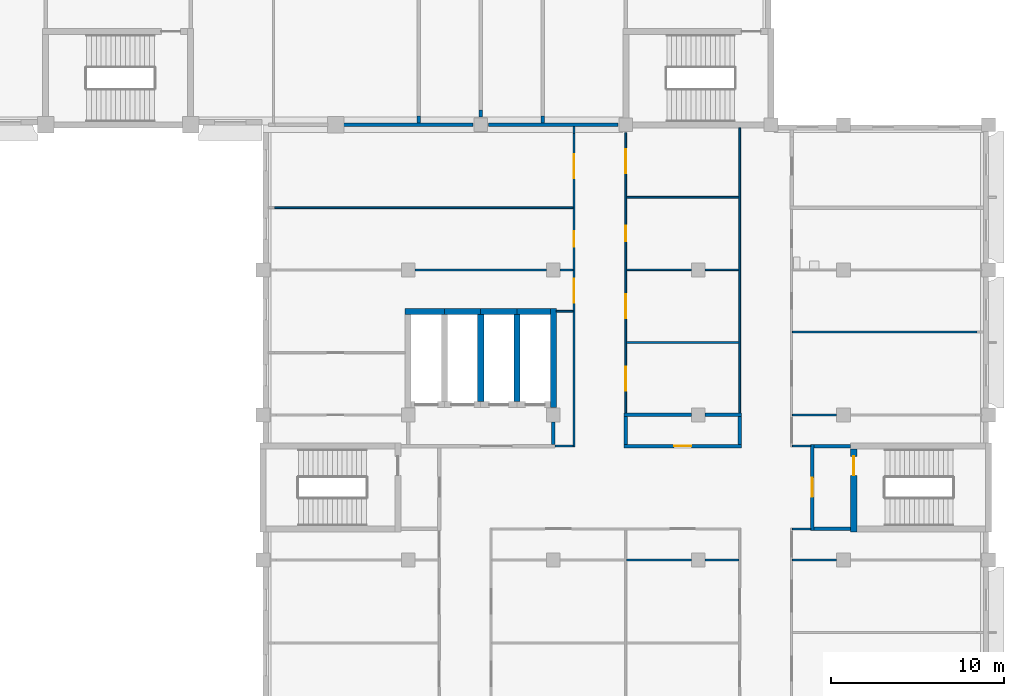
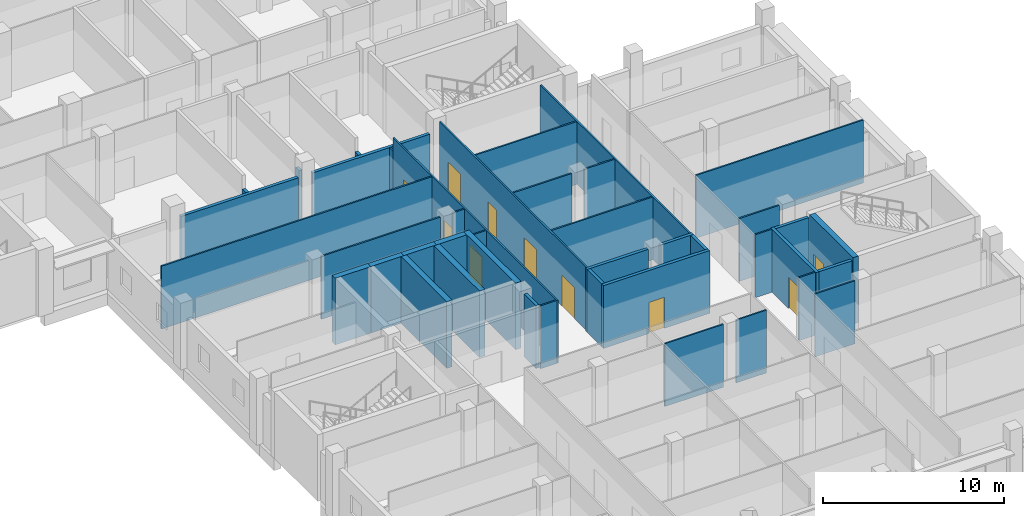
# One storey, part 84 of 136: 42 walls, 10 doors, 10 openings.
"""IFC4 building model written with IfcOpenShell, lengths in metres."""

from ifc_helpers import new_model, si_unit, direction, frame, frame_2d, origin, place, context, subcontext, project, spatial, rectangle, extrude, material, layer, layer_set, type_object, element, fill, save


model = new_model("IFC4")

# Units and contexts
model_context = context("Model", 3, precision=1e-05, world=origin(), true_north=direction((0.0, 1.0)))
body_context = subcontext(model_context, "Body", "Model", "MODEL_VIEW")
ifc_project = project(units=[si_unit("LENGTHUNIT", "METRE"), si_unit("AREAUNIT", "SQUARE_METRE"), si_unit("VOLUMEUNIT", "CUBIC_METRE"), si_unit("PLANEANGLEUNIT", "RADIAN"), si_unit("MASSUNIT", "GRAM", prefix="KILO")], contexts=[model_context])

# Site, building, storey
site_placement = place(None, origin())
site = spatial("IfcSite", under=ifc_project, at=site_placement, CompositionType="ELEMENT")
building_placement = place(site_placement, origin())
building = spatial("IfcBuilding", under=site, at=building_placement, Name="Bougainvillea Quay General Hospital", CompositionType="ELEMENT")
storey_placement = place(building_placement, frame((0.0, 0.0, 5.39990234375)))
storey = spatial("IfcBuildingStorey", under=building, at=storey_placement, Name="L01", CompositionType="ELEMENT", Elevation=5.39990234375)

# Wall
ifc_material_1 = material(Name="Gypsum board partition on steel studs", Category="steel")
ifc_layer_1 = layer(ifc_material_1, 0.10009765625)
ifc_layer_set_1 = layer_set([ifc_layer_1], Name="Gypsum board partition on steel studs")
wall_type_1 = type_object("IfcWallType", Name="Partition 100 Gypsum board partition", PredefinedType="PARTITIONING", material=ifc_layer_set_1)
wall_1_placement = place(storey_placement, frame((181.800048828125, 117.5, 0.0), z_axis=(0.0, 0.0, 1.0), x_axis=(0.0, -1.0, 0.0)))
element("IfcWall", 1, at=wall_1_placement, inside=storey, type_object=wall_type_1, Name="Partition 100 mm", PredefinedType="PARTITIONING", context=body_context, shape_type="SweptSolid", body=[
    extrude(rectangle(XDim=0.39990234375, YDim=0.10009765625, at=frame_2d((0.199951171875, 0.0))), origin(), (0.0, 0.0, 1.0), 3.330078125),
])

# Wall, openings, doors
wall_2_placement = place(storey_placement, frame((181.800048828125, 117.10009765625, 0.0), z_axis=(0.0, 0.0, 1.0), x_axis=(0.0, -1.0, 0.0)))
wall_2 = element("IfcWall", 2, at=wall_2_placement, inside=storey, type_object=wall_type_1, Name="Partition 100 mm", PredefinedType="PARTITIONING", context=body_context, shape_type="SweptSolid", body=[
    extrude(rectangle(XDim=18.150146484375, YDim=0.10009765625, at=frame_2d((9.0751953125, 0.0))), origin(), (0.0, 0.0, 1.0), 4.25),
])
opening_1_placement = place(wall_2_placement, frame((8.40087890625, 0.0, 0.0)))
opening_1 = element("IfcOpeningElement", 3, at=opening_1_placement, cuts=wall_2, Name="Opening L01.117", PredefinedType="OPENING", context=body_context, shape_type="SweptSolid", body=[
    extrude(rectangle(XDim=1.39990234375, YDim=2.10009765625, at=frame_2d((0.699951171875, 1.050048828125))), frame((0.0, 0.06005859375, 0.0), z_axis=(0.0, -1.0, 0.0), x_axis=(1.0, 0.0, 0.0)), (0.0, 0.0, 1.0), 0.1201171875),
])
opening_2_placement = place(wall_2_placement, frame((5.652099609375, 0.0, 0.0)))
opening_2 = element("IfcOpeningElement", 4, at=opening_2_placement, cuts=wall_2, Name="Opening L01.118", PredefinedType="OPENING", context=body_context, shape_type="SweptSolid", body=[
    extrude(rectangle(XDim=0.89990234375, YDim=2.10009765625, at=frame_2d((0.449951171875, 1.050048828125))), frame((0.0, 0.06005859375, 0.0), z_axis=(0.0, -1.0, 0.0), x_axis=(1.0, 0.0, 0.0)), (0.0, 0.0, 1.0), 0.1201171875),
])
opening_3_placement = place(wall_2_placement, frame((1.200927734375, 0.0, 0.0)))
opening_3 = element("IfcOpeningElement", 5, at=opening_3_placement, cuts=wall_2, Name="Opening L01.119", PredefinedType="OPENING", context=body_context, shape_type="SweptSolid", body=[
    extrude(rectangle(XDim=1.39990234375, YDim=2.10009765625, at=frame_2d((0.699951171875, 1.050048828125))), frame((0.0, 0.06005859375, 0.0), z_axis=(0.0, -1.0, 0.0), x_axis=(1.0, 0.0, 0.0)), (0.0, 0.0, 1.0), 0.1201171875),
])
ifc_material_2 = material(Name="Solid-core timber door leaves in steel frame", Category="steel")
door_type_1 = type_object("IfcDoorType", Name="Bed door pair 1400x2100", OperationType="DOUBLE_DOOR_SINGLE_SWING", PredefinedType="DOOR", material=ifc_material_2)
door_1_placement = place(opening_1_placement, frame((1.39990234375, 0.0, 0.0), z_axis=(0.0, 0.0, 1.0), x_axis=(-1.0, 0.0, 0.0)))
door_1 = element("IfcDoor", 6, at=door_1_placement, inside=storey, type_object=door_type_1, Name="DT09 L01.117", OperationType="DOUBLE_DOOR_SINGLE_SWING", OverallHeight=2.10009765625, OverallWidth=1.39990234375, PredefinedType="DOOR", context=body_context, shape_type="SweptSolid", body=[
    extrude(rectangle(XDim=1.39990234375, YDim=2.10009765625, at=frame_2d((0.699951171875, 1.050048828125))), frame((0.0, 0.02490234375, 0.0), z_axis=(0.0, -1.0, 0.0), x_axis=(1.0, 0.0, 0.0)), (0.0, 0.0, 1.0), 0.050048828125),
])
fill(opening_1, door_1)
door_2_placement = place(opening_3_placement, frame((1.39990234375, 0.0, 0.0), z_axis=(0.0, 0.0, 1.0), x_axis=(-1.0, 0.0, 0.0)))
door_2 = element("IfcDoor", 7, at=door_2_placement, inside=storey, type_object=door_type_1, Name="DT09 L01.119", OperationType="DOUBLE_DOOR_SINGLE_SWING", OverallHeight=2.10009765625, OverallWidth=1.39990234375, PredefinedType="DOOR", context=body_context, shape_type="SweptSolid", body=[
    extrude(rectangle(XDim=1.39990234375, YDim=2.10009765625, at=frame_2d((0.699951171875, 1.050048828125))), frame((0.0, 0.02490234375, 0.0), z_axis=(0.0, -1.0, 0.0), x_axis=(1.0, 0.0, 0.0)), (0.0, 0.0, 1.0), 0.050048828125),
])
fill(opening_3, door_2)
ifc_material_3 = material(Name="Solid-core timber door leaf in steel frame", Category="steel")
door_type_2 = type_object("IfcDoorType", Name="Single leaf door 900x2100", OperationType="NOTDEFINED", PredefinedType="DOOR", material=ifc_material_3)
door_3_placement = place(opening_2_placement, frame((0.89990234375, 0.0, 0.0), z_axis=(0.0, 0.0, 1.0), x_axis=(-1.0, 0.0, 0.0)))
door_3 = element("IfcDoor", 8, at=door_3_placement, inside=storey, type_object=door_type_2, Name="DT07 L01.118", OperationType="SINGLE_SWING_RIGHT", OverallHeight=2.10009765625, OverallWidth=0.89990234375, PredefinedType="DOOR", context=body_context, shape_type="SweptSolid", body=[
    extrude(rectangle(XDim=0.89990234375, YDim=2.10009765625, at=frame_2d((0.449951171875, 1.050048828125))), frame((0.0, 0.02490234375, 0.0), z_axis=(0.0, -1.0, 0.0), x_axis=(1.0, 0.0, 0.0)), (0.0, 0.0, 1.0), 0.050048828125),
])
fill(opening_2, door_3)

# Walls
wall_3_placement = place(storey_placement, frame((172.60009765625, 109.197998046875, 0.0), z_axis=(0.0, 0.0, 1.0), x_axis=(1.0, 0.0, 0.0)))
element("IfcWall", 9, at=wall_3_placement, inside=storey, type_object=wall_type_1, Name="Partition 100 mm", PredefinedType="PARTITIONING", context=body_context, shape_type="SweptSolid", body=[
    extrude(rectangle(XDim=7.599853515625, YDim=0.10009765625, at=frame_2d((3.7998046875, 0.0))), origin(), (0.0, 0.0, 1.0), 4.25),
])
wall_4_placement = place(storey_placement, frame((181.0, 109.197998046875, 0.0), z_axis=(0.0, 0.0, 1.0), x_axis=(1.0, 0.0, 0.0)))
element("IfcWall", 10, at=wall_4_placement, inside=storey, type_object=wall_type_1, Name="Partition 100 mm", PredefinedType="PARTITIONING", context=body_context, shape_type="SweptSolid", body=[
    extrude(rectangle(XDim=0.75, YDim=0.10009765625, at=frame_2d((0.375, 0.0))), origin(), (0.0, 0.0, 1.0), 4.25),
])
wall_5_placement = place(storey_placement, frame((164.449951171875, 112.798095703125, 0.0), z_axis=(0.0, 0.0, 1.0), x_axis=(1.0, 0.0, 0.0)))
element("IfcWall", 11, at=wall_5_placement, inside=storey, type_object=wall_type_1, Name="Partition 100 mm", PredefinedType="PARTITIONING", context=body_context, shape_type="SweptSolid", body=[
    extrude(rectangle(XDim=17.300048828125, YDim=0.10009765625, at=frame_2d((8.64990234375, 0.0))), origin(), (0.0, 0.0, 1.0), 4.25),
])

# Wall, openings, doors
wall_6_placement = place(storey_placement, frame((184.800048828125, 117.14990234375, 0.0), z_axis=(0.0, 0.0, 1.0), x_axis=(0.0, -1.0, 0.0)))
wall_6 = element("IfcWall", 12, at=wall_6_placement, inside=storey, type_object=wall_type_1, Name="Partition 100 mm", PredefinedType="PARTITIONING", context=body_context, shape_type="SweptSolid", body=[
    extrude(rectangle(XDim=16.25, YDim=0.10009765625, at=frame_2d((8.125, 0.0))), origin(), (0.0, 0.0, 1.0), 4.25),
])
opening_4_placement = place(wall_6_placement, frame((13.550048828125, 0.0, 0.0)))
opening_4 = element("IfcOpeningElement", 13, at=opening_4_placement, cuts=wall_6, Name="Opening L01.121", PredefinedType="OPENING", context=body_context, shape_type="SweptSolid", body=[
    extrude(rectangle(XDim=1.39990234375, YDim=2.10009765625, at=frame_2d((0.699951171875, 1.050048828125))), frame((0.0, 0.06005859375, 0.0), z_axis=(0.0, -1.0, 0.0), x_axis=(1.0, 0.0, 0.0)), (0.0, 0.0, 1.0), 0.1201171875),
])
opening_5_placement = place(wall_6_placement, frame((9.35009765625, 0.0, 0.0)))
opening_5 = element("IfcOpeningElement", 14, at=opening_5_placement, cuts=wall_6, Name="Opening L01.122", PredefinedType="OPENING", context=body_context, shape_type="SweptSolid", body=[
    extrude(rectangle(XDim=1.39990234375, YDim=2.10009765625, at=frame_2d((0.699951171875, 1.050048828125))), frame((0.0, 0.06005859375, 0.0), z_axis=(0.0, -1.0, 0.0), x_axis=(1.0, 0.0, 0.0)), (0.0, 0.0, 1.0), 0.1201171875),
])
opening_6_placement = place(wall_6_placement, frame((5.39990234375, 0.0, 0.0)))
opening_6 = element("IfcOpeningElement", 15, at=opening_6_placement, cuts=wall_6, Name="Opening L01.123", PredefinedType="OPENING", context=body_context, shape_type="SweptSolid", body=[
    extrude(rectangle(XDim=0.89990234375, YDim=2.10009765625, at=frame_2d((0.449951171875, 1.050048828125))), frame((0.0, 0.06005859375, 0.0), z_axis=(0.0, -1.0, 0.0), x_axis=(1.0, 0.0, 0.0)), (0.0, 0.0, 1.0), 0.1201171875),
])
opening_7_placement = place(wall_6_placement, frame((0.949951171875, 0.0, 0.0)))
opening_7 = element("IfcOpeningElement", 16, at=opening_7_placement, cuts=wall_6, Name="Opening L01.124", PredefinedType="OPENING", context=body_context, shape_type="SweptSolid", body=[
    extrude(rectangle(XDim=1.39990234375, YDim=2.10009765625, at=frame_2d((0.699951171875, 1.050048828125))), frame((0.0, 0.06005859375, 0.0), z_axis=(0.0, -1.0, 0.0), x_axis=(1.0, 0.0, 0.0)), (0.0, 0.0, 1.0), 0.1201171875),
])
door_4_placement = place(opening_4_placement, origin())
door_4 = element("IfcDoor", 17, at=door_4_placement, inside=storey, type_object=door_type_1, Name="DT09 L01.121", OperationType="DOUBLE_DOOR_SINGLE_SWING", OverallHeight=2.10009765625, OverallWidth=1.39990234375, PredefinedType="DOOR", context=body_context, shape_type="SweptSolid", body=[
    extrude(rectangle(XDim=1.39990234375, YDim=2.10009765625, at=frame_2d((0.699951171875, 1.050048828125))), frame((0.0, 0.02490234375, 0.0), z_axis=(0.0, -1.0, 0.0), x_axis=(1.0, 0.0, 0.0)), (0.0, 0.0, 1.0), 0.050048828125),
])
fill(opening_4, door_4)
door_5_placement = place(opening_5_placement, origin())
door_5 = element("IfcDoor", 18, at=door_5_placement, inside=storey, type_object=door_type_1, Name="DT09 L01.122", OperationType="DOUBLE_DOOR_SINGLE_SWING", OverallHeight=2.10009765625, OverallWidth=1.39990234375, PredefinedType="DOOR", context=body_context, shape_type="SweptSolid", body=[
    extrude(rectangle(XDim=1.39990234375, YDim=2.10009765625, at=frame_2d((0.699951171875, 1.050048828125))), frame((0.0, 0.02490234375, 0.0), z_axis=(0.0, -1.0, 0.0), x_axis=(1.0, 0.0, 0.0)), (0.0, 0.0, 1.0), 0.050048828125),
])
fill(opening_5, door_5)
door_6_placement = place(opening_7_placement, origin())
door_6 = element("IfcDoor", 19, at=door_6_placement, inside=storey, type_object=door_type_1, Name="DT09 L01.124", OperationType="DOUBLE_DOOR_SINGLE_SWING", OverallHeight=2.10009765625, OverallWidth=1.39990234375, PredefinedType="DOOR", context=body_context, shape_type="SweptSolid", body=[
    extrude(rectangle(XDim=1.39990234375, YDim=2.10009765625, at=frame_2d((0.699951171875, 1.050048828125))), frame((0.0, 0.02490234375, 0.0), z_axis=(0.0, -1.0, 0.0), x_axis=(1.0, 0.0, 0.0)), (0.0, 0.0, 1.0), 0.050048828125),
])
fill(opening_7, door_6)
door_7_placement = place(opening_6_placement, origin())
door_7 = element("IfcDoor", 20, at=door_7_placement, inside=storey, type_object=door_type_2, Name="DT07 L01.123", OperationType="SINGLE_SWING_LEFT", OverallHeight=2.10009765625, OverallWidth=0.89990234375, PredefinedType="DOOR", context=body_context, shape_type="SweptSolid", body=[
    extrude(rectangle(XDim=0.89990234375, YDim=2.10009765625, at=frame_2d((0.449951171875, 1.050048828125))), frame((0.0, 0.02490234375, 0.0), z_axis=(0.0, -1.0, 0.0), x_axis=(1.0, 0.0, 0.0)), (0.0, 0.0, 1.0), 0.050048828125),
])
fill(opening_6, door_7)

# Walls
wall_7_placement = place(storey_placement, frame((191.39990234375, 117.425048828125, 0.0), z_axis=(0.0, 0.0, 1.0), x_axis=(0.0, -1.0, 0.0)))
element("IfcWall", 21, at=wall_7_placement, inside=storey, type_object=wall_type_1, Name="Partition 100 mm", PredefinedType="PARTITIONING", context=body_context, shape_type="SweptSolid", body=[
    extrude(rectangle(XDim=16.525146484375, YDim=0.10009765625, at=frame_2d((8.2626953125, 0.0))), origin(), (0.0, 0.0, 1.0), 4.25),
])
wall_8_placement = place(storey_placement, frame((184.85009765625, 92.39990234375, 0.0), z_axis=(0.0, 0.0, 1.0), x_axis=(1.0, 0.0, 0.0)))
element("IfcWall", 22, at=wall_8_placement, inside=storey, type_object=wall_type_1, Name="Partition 100 mm", PredefinedType="PARTITIONING", context=body_context, shape_type="SweptSolid", body=[
    extrude(rectangle(XDim=3.75, YDim=0.10009765625, at=frame_2d((1.875, 0.0))), origin(), (0.0, 0.0, 1.0), 4.25),
])
wall_9_placement = place(storey_placement, frame((189.39990234375, 92.39990234375, 0.0), z_axis=(0.0, 0.0, 1.0), x_axis=(1.0, 0.0, 0.0)))
element("IfcWall", 23, at=wall_9_placement, inside=storey, type_object=wall_type_1, Name="Partition 100 mm", PredefinedType="PARTITIONING", context=body_context, shape_type="SweptSolid", body=[
    extrude(rectangle(XDim=1.9501953125, YDim=0.10009765625, at=frame_2d((0.97509765625, 0.0))), origin(), (0.0, 0.0, 1.0), 4.25),
])
for number, where, z_axis, x_axis, name in (
    (24, (194.449951171875, 92.39990234375, 0.0), (0.0, 0.0, 1.0), (1.0, 0.0, 0.0), "Partition 100 mm"),
    (25, (194.449951171875, 100.800048828125, 0.0), (0.0, 0.0, 1.0), (1.0, 0.0, 0.0), "Partition 100 mm"),
):
    element("IfcWall", number, at=place(storey_placement, frame(where, z_axis=z_axis, x_axis=x_axis)), inside=storey, type_object=wall_type_1, Name=name, PredefinedType="PARTITIONING", context=body_context, shape_type="SweptSolid", body=[
        extrude(rectangle(XDim=2.550048828125, YDim=0.10009765625, at=frame_2d((1.27490234375, 0.0))), origin(), (0.0, 0.0, 1.0), 4.25),
    ])
wall_10_placement = place(storey_placement, frame((194.449951171875, 105.60009765625, 0.0), z_axis=(0.0, 0.0, 1.0), x_axis=(1.0, 0.0, 0.0)))
element("IfcWall", 26, at=wall_10_placement, inside=storey, type_object=wall_type_1, Name="Partition 100 mm", PredefinedType="PARTITIONING", context=body_context, shape_type="SweptSolid", body=[
    extrude(rectangle(XDim=10.699951171875, YDim=0.10009765625, at=frame_2d((5.35009765625, 0.0))), origin(), (0.0, 0.0, 1.0), 4.25),
])
wall_11_placement = place(storey_placement, frame((180.77490234375, 106.800048828125, 0.0), z_axis=(0.0, 0.0, 1.0), x_axis=(1.0, 0.0, 0.0)))
element("IfcWall", 27, at=wall_11_placement, inside=storey, type_object=wall_type_1, Name="Partition 100 mm", PredefinedType="PARTITIONING", context=body_context, shape_type="SweptSolid", body=[
    extrude(rectangle(XDim=0.97509765625, YDim=0.10009765625, at=frame_2d((0.487548828125, 0.0))), origin(), (0.0, 0.0, 1.0), 4.25),
])
wall_12_placement = place(storey_placement, frame((184.85009765625, 105.0, 0.0), z_axis=(0.0, 0.0, 1.0), x_axis=(1.0, 0.0, 0.0)))
element("IfcWall", 28, at=wall_12_placement, inside=storey, type_object=wall_type_1, Name="Partition 100 mm", PredefinedType="PARTITIONING", context=body_context, shape_type="SweptSolid", body=[
    extrude(rectangle(XDim=6.5, YDim=0.10009765625, at=frame_2d((3.25, 0.0))), origin(), (0.0, 0.0, 1.0), 4.25),
])
wall_13_placement = place(storey_placement, frame((184.85009765625, 109.199951171875, 0.0), z_axis=(0.0, 0.0, 1.0), x_axis=(1.0, 0.0, 0.0)))
element("IfcWall", 29, at=wall_13_placement, inside=storey, type_object=wall_type_1, Name="Partition 100 mm", PredefinedType="PARTITIONING", context=body_context, shape_type="SweptSolid", body=[
    extrude(rectangle(XDim=3.75, YDim=0.10009765625, at=frame_2d((1.875, 0.0))), origin(), (0.0, 0.0, 1.0), 4.25),
])
wall_14_placement = place(storey_placement, frame((189.39990234375, 109.199951171875, 0.0), z_axis=(0.0, 0.0, 1.0), x_axis=(1.0, 0.0, 0.0)))
element("IfcWall", 30, at=wall_14_placement, inside=storey, type_object=wall_type_1, Name="Partition 100 mm", PredefinedType="PARTITIONING", context=body_context, shape_type="SweptSolid", body=[
    extrude(rectangle(XDim=1.9501953125, YDim=0.10009765625, at=frame_2d((0.97509765625, 0.0))), origin(), (0.0, 0.0, 1.0), 4.25),
])
wall_15_placement = place(storey_placement, frame((184.85009765625, 113.39990234375, 0.0), z_axis=(0.0, 0.0, 1.0), x_axis=(1.0, 0.0, 0.0)))
element("IfcWall", 31, at=wall_15_placement, inside=storey, type_object=wall_type_1, Name="Partition 100 mm", PredefinedType="PARTITIONING", context=body_context, shape_type="SweptSolid", body=[
    extrude(rectangle(XDim=6.5, YDim=0.10009765625, at=frame_2d((3.25, 0.0))), origin(), (0.0, 0.0, 1.0), 4.25),
])
for number, where, z_axis, x_axis, name in (
    (32, (180.699951171875, 99.0, 0.0), (0.0, 0.0, 1.0), (1.0, 0.0, 0.0), "Partition 100 mm"),
    (33, (194.449951171875, 94.199951171875, 0.0), (0.0, 0.0, 1.0), (1.0, 0.0, 0.0), "Partition 100 mm"),
    (34, (194.449951171875, 99.0, 0.0), (0.0, 0.0, 1.0), (1.0, 0.0, 0.0), "Partition 100 mm"),
):
    element("IfcWall", number, at=place(storey_placement, frame(where, z_axis=z_axis, x_axis=x_axis)), inside=storey, type_object=wall_type_1, Name=name, PredefinedType="PARTITIONING", context=body_context, shape_type="SweptSolid", body=[
        extrude(rectangle(XDim=1.050048828125, YDim=0.10009765625, at=frame_2d((0.52490234375, 0.0))), origin(), (0.0, 0.0, 1.0), 4.25),
    ])
ifc_material_4 = material(Name="Fire-rated autoclaved aerated block wall, plastered")
ifc_layer_2 = layer(ifc_material_4, 0.199951171875)
ifc_layer_set_2 = layer_set([ifc_layer_2], Name="Fire-rated autoclaved aerated block wall, plastered")
wall_type_2 = type_object("IfcWallType", Name="Partition 200 Fire-rated autoclaved aerated block wall EI 120", PredefinedType="SOLIDWALL", material=ifc_layer_set_2)
for number, where, z_axis, x_axis, name in (
    (35, (184.35009765625, 117.60009765625, 0.0), (0.0, 0.0, 1.0), (-1.0, 0.0, 0.0), "Partition 200 mm EI 120"),
    (36, (175.949951171875, 117.60009765625, 0.0), (0.0, 0.0, 1.0), (-1.0, 0.0, 0.0), "Partition 200 mm EI 120"),
):
    element("IfcWall", number, at=place(storey_placement, frame(where, z_axis=z_axis, x_axis=x_axis)), inside=storey, type_object=wall_type_2, Name=name, PredefinedType="SOLIDWALL", context=body_context, shape_type="SweptSolid", body=[
        extrude(rectangle(XDim=7.5, YDim=0.199951171875, at=frame_2d((3.75, 0.0))), origin(), (0.0, 0.0, 1.0), 3.330078125),
    ])

# Wall, opening, door
wall_16_placement = place(storey_placement, frame((195.60009765625, 94.10009765625, 0.0), z_axis=(0.0, 0.0, 1.0), x_axis=(0.0, 1.0, 0.0)))
wall_16 = element("IfcWall", 37, at=wall_16_placement, inside=storey, type_object=wall_type_2, Name="Partition 200 mm EI 120", PredefinedType="SOLIDWALL", context=body_context, shape_type="SweptSolid", body=[
    extrude(rectangle(XDim=5.0, YDim=0.199951171875, at=frame_2d((2.5, 0.0))), origin(), (0.0, 0.0, 1.0), 4.25),
])
opening_8_placement = place(wall_16_placement, frame((1.949951171875, 0.0, 0.0)))
opening_8 = element("IfcOpeningElement", 38, at=opening_8_placement, cuts=wall_16, Name="Opening L01.058", PredefinedType="OPENING", context=body_context, shape_type="SweptSolid", body=[
    extrude(rectangle(XDim=1.10009765625, YDim=2.10009765625, at=frame_2d((0.550048828125, 1.050048828125))), frame((0.0, 0.10986328125, 0.0), z_axis=(0.0, -1.0, 0.0), x_axis=(1.0, 0.0, 0.0)), (0.0, 0.0, 1.0), 0.219970703125),
])
ifc_material_5 = material(Name="Steel fire door leaf in steel frame", Category="steel")
door_type_3 = type_object("IfcDoorType", Name="Steel single leaf door 1100x2100 FD60", OperationType="NOTDEFINED", PredefinedType="DOOR", material=ifc_material_5)
door_8_placement = place(opening_8_placement, frame((1.10009765625, 0.0, 0.0), z_axis=(0.0, 0.0, 1.0), x_axis=(-1.0, 0.0, 0.0)))
door_8 = element("IfcDoor", 39, at=door_8_placement, inside=storey, type_object=door_type_3, Name="DT04 L01.058", OperationType="SINGLE_SWING_RIGHT", OverallHeight=2.10009765625, OverallWidth=1.10009765625, PredefinedType="DOOR", context=body_context, shape_type="SweptSolid", body=[
    extrude(rectangle(XDim=1.10009765625, YDim=2.10009765625, at=frame_2d((0.550048828125, 1.050048828125))), frame((0.0, 0.02490234375, 0.0), z_axis=(0.0, -1.0, 0.0), x_axis=(1.0, 0.0, 0.0)), (0.0, 0.0, 1.0), 0.050048828125),
])
fill(opening_8, door_8)

# Walls
wall_17_placement = place(storey_placement, frame((180.60009765625, 99.10009765625, 0.0), z_axis=(0.0, 0.0, 1.0), x_axis=(0.0, 1.0, 0.0)))
element("IfcWall", 40, at=wall_17_placement, inside=storey, type_object=wall_type_2, Name="Partition 200 mm EI 120", PredefinedType="SOLIDWALL", context=body_context, shape_type="SweptSolid", body=[
    extrude(rectangle(XDim=1.2998046875, YDim=0.199951171875, at=frame_2d((0.64990234375, 0.0))), origin(), (0.0, 0.0, 1.0), 4.25),
])
for number, where, z_axis, x_axis, name in (
    (41, (195.699951171875, 94.199951171875, 0.0), (0.0, 0.0, 1.0), (1.0, 0.0, 0.0), "Partition 200 mm EI 120"),
    (42, (195.699951171875, 99.0, 0.0), (0.0, 0.0, 1.0), (1.0, 0.0, 0.0), "Partition 200 mm EI 120"),
):
    element("IfcWall", number, at=place(storey_placement, frame(where, z_axis=z_axis, x_axis=x_axis)), inside=storey, type_object=wall_type_2, Name=name, PredefinedType="SOLIDWALL", context=body_context, shape_type="SweptSolid", body=[
        extrude(rectangle(XDim=2.125, YDim=0.199951171875, at=frame_2d((1.0625, 0.0))), origin(), (0.0, 0.0, 1.0), 4.25),
    ])
ifc_layer_3 = layer(ifc_material_4, 0.199951171875)
ifc_layer_set_3 = layer_set([ifc_layer_3], Name="Fire-rated autoclaved aerated block wall, plastered")
wall_type_3 = type_object("IfcWallType", Name="Partition 200 Fire-rated autoclaved aerated block wall EI 60", PredefinedType="SOLIDWALL", material=ifc_layer_set_3)
wall_18_placement = place(storey_placement, frame((172.800048828125, 117.699951171875, 0.0), z_axis=(0.0, 0.0, 1.0), x_axis=(0.0, 1.0, 0.0)))
element("IfcWall", 43, at=wall_18_placement, inside=storey, type_object=wall_type_3, Name="Partition 200 mm EI 60", PredefinedType="SOLIDWALL", context=body_context, shape_type="SweptSolid", body=[
    extrude(rectangle(XDim=0.400146484375, YDim=0.199951171875, at=frame_2d((0.2001953125, 0.0))), origin(), (0.0, 0.0, 1.0), 3.330078125),
])
wall_19_placement = place(storey_placement, frame((176.39990234375, 118.050048828125, 0.0), z_axis=(0.0, 0.0, 1.0), x_axis=(0.0, 1.0, 0.0)))
element("IfcWall", 44, at=wall_19_placement, inside=storey, type_object=wall_type_3, Name="Partition 200 mm EI 60", PredefinedType="SOLIDWALL", context=body_context, shape_type="SweptSolid", body=[
    extrude(rectangle(XDim=0.39990234375, YDim=0.199951171875, at=frame_2d((0.199951171875, 0.0))), origin(), (0.0, 0.0, 1.0), 3.330078125),
])
wall_20_placement = place(storey_placement, frame((180.0, 117.699951171875, 0.0), z_axis=(0.0, 0.0, 1.0), x_axis=(0.0, 1.0, 0.0)))
element("IfcWall", 45, at=wall_20_placement, inside=storey, type_object=wall_type_3, Name="Partition 200 mm EI 60", PredefinedType="SOLIDWALL", context=body_context, shape_type="SweptSolid", body=[
    extrude(rectangle(XDim=0.400146484375, YDim=0.199951171875, at=frame_2d((0.2001953125, 0.0))), origin(), (0.0, 0.0, 1.0), 3.330078125),
])

# Wall, opening, door
wall_21_placement = place(storey_placement, frame((184.699951171875, 99.0, 0.0), z_axis=(0.0, 0.0, 1.0), x_axis=(1.0, 0.0, 0.0)))
wall_21 = element("IfcWall", 46, at=wall_21_placement, inside=storey, type_object=wall_type_3, Name="Partition 200 mm EI 60", PredefinedType="SOLIDWALL", context=body_context, shape_type="SweptSolid", body=[
    extrude(rectangle(XDim=6.800048828125, YDim=0.199951171875, at=frame_2d((3.39990234375, 0.0))), origin(), (0.0, 0.0, 1.0), 4.25),
])
opening_9_placement = place(wall_21_placement, frame((2.89990234375, 0.0, 0.0)))
opening_9 = element("IfcOpeningElement", 47, at=opening_9_placement, cuts=wall_21, Name="Opening L01.120", PredefinedType="OPENING", context=body_context, shape_type="SweptSolid", body=[
    extrude(rectangle(XDim=1.0, YDim=2.10009765625, at=frame_2d((0.5, 1.050048828125))), frame((0.0, 0.10986328125, 0.0), z_axis=(0.0, -1.0, 0.0), x_axis=(1.0, 0.0, 0.0)), (0.0, 0.0, 1.0), 0.219970703125),
])
door_type_4 = type_object("IfcDoorType", Name="Steel single leaf door 1000x2100 FD60", OperationType="NOTDEFINED", PredefinedType="DOOR", material=ifc_material_5)
door_9_placement = place(opening_9_placement, origin())
door_9 = element("IfcDoor", 48, at=door_9_placement, inside=storey, type_object=door_type_4, Name="DT10 L01.120", OperationType="SINGLE_SWING_LEFT", OverallHeight=2.10009765625, OverallWidth=1.0, PredefinedType="DOOR", context=body_context, shape_type="SweptSolid", body=[
    extrude(rectangle(XDim=1.0, YDim=2.10009765625, at=frame_2d((0.5, 1.050048828125))), frame((0.0, 0.02490234375, 0.0), z_axis=(0.0, -1.0, 0.0), x_axis=(1.0, 0.0, 0.0)), (0.0, 0.0, 1.0), 0.050048828125),
])
fill(opening_9, door_9)

# Walls
wall_22_placement = place(storey_placement, frame((184.699951171875, 100.800048828125, 0.0), z_axis=(0.0, 0.0, 1.0), x_axis=(1.0, 0.0, 0.0)))
element("IfcWall", 49, at=wall_22_placement, inside=storey, type_object=wall_type_3, Name="Partition 200 mm EI 60", PredefinedType="SOLIDWALL", context=body_context, shape_type="SweptSolid", body=[
    extrude(rectangle(XDim=3.900146484375, YDim=0.199951171875, at=frame_2d((1.9501953125, 0.0))), origin(), (0.0, 0.0, 1.0), 4.25),
])
wall_23_placement = place(storey_placement, frame((189.39990234375, 100.800048828125, 0.0), z_axis=(0.0, 0.0, 1.0), x_axis=(1.0, 0.0, 0.0)))
element("IfcWall", 50, at=wall_23_placement, inside=storey, type_object=wall_type_3, Name="Partition 200 mm EI 60", PredefinedType="SOLIDWALL", context=body_context, shape_type="SweptSolid", body=[
    extrude(rectangle(XDim=2.10009765625, YDim=0.199951171875, at=frame_2d((1.050048828125, 0.0))), origin(), (0.0, 0.0, 1.0), 4.25),
])
for number, where, z_axis, x_axis, name in (
    (51, (184.800048828125, 99.10009765625, 0.0), (0.0, 0.0, 1.0), (0.0, 1.0, 0.0), "Partition 200 mm EI 60"),
    (52, (191.39990234375, 99.10009765625, 0.0), (0.0, 0.0, 1.0), (0.0, 1.0, 0.0), "Partition 200 mm EI 60"),
):
    element("IfcWall", number, at=place(storey_placement, frame(where, z_axis=z_axis, x_axis=x_axis)), inside=storey, type_object=wall_type_3, Name=name, PredefinedType="SOLIDWALL", context=body_context, shape_type="SweptSolid", body=[
        extrude(rectangle(XDim=1.599853515625, YDim=0.199951171875, at=frame_2d((0.7998046875, 0.0))), origin(), (0.0, 0.0, 1.0), 4.25),
    ])
ifc_material_6 = material(Name="Concrete C40", Category="concrete")
ifc_layer_4 = layer(ifc_material_6, 0.35009765625)
ifc_layer_set_4 = layer_set([ifc_layer_4], Name="Concrete C40")
wall_type_4 = type_object("IfcWallType", Name="RC SHEAR WALL 350 C40", PredefinedType="SHEAR", material=ifc_layer_set_4)
wall_24_placement = place(storey_placement, frame((172.02490234375, 106.800048828125, 0.0), z_axis=(0.0, 0.0, 1.0), x_axis=(1.0, 0.0, 0.0)))
element("IfcWall", 53, at=wall_24_placement, inside=storey, type_object=wall_type_4, Name="Shear wall L01", PredefinedType="SHEAR", context=body_context, shape_type="SweptSolid", body=[
    extrude(rectangle(XDim=2.275146484375, YDim=0.35009765625, at=frame_2d((1.1376953125, 0.0))), origin(), (0.0, 0.0, 1.0), 4.5),
])
wall_25_placement = place(storey_placement, frame((174.300048828125, 106.800048828125, 0.0), z_axis=(0.0, 0.0, 1.0), x_axis=(1.0, 0.0, 0.0)))
element("IfcWall", 54, at=wall_25_placement, inside=storey, type_object=wall_type_4, Name="Shear wall L01", PredefinedType="SHEAR", context=body_context, shape_type="SweptSolid", body=[
    extrude(rectangle(XDim=2.099853515625, YDim=0.35009765625, at=frame_2d((1.0498046875, 0.0))), origin(), (0.0, 0.0, 1.0), 4.5),
])
wall_26_placement = place(storey_placement, frame((176.39990234375, 101.574951171875, 0.0), z_axis=(0.0, 0.0, 1.0), x_axis=(0.0, 1.0, 0.0)))
element("IfcWall", 55, at=wall_26_placement, inside=storey, type_object=wall_type_4, Name="Shear wall L01", PredefinedType="SHEAR", context=body_context, shape_type="SweptSolid", body=[
    extrude(rectangle(XDim=5.050048828125, YDim=0.35009765625, at=frame_2d((2.52490234375, 0.0))), origin(), (0.0, 0.0, 1.0), 4.5),
])
wall_27_placement = place(storey_placement, frame((176.39990234375, 106.800048828125, 0.0), z_axis=(0.0, 0.0, 1.0), x_axis=(1.0, 0.0, 0.0)))
element("IfcWall", 56, at=wall_27_placement, inside=storey, type_object=wall_type_4, Name="Shear wall L01", PredefinedType="SHEAR", context=body_context, shape_type="SweptSolid", body=[
    extrude(rectangle(XDim=2.10009765625, YDim=0.35009765625, at=frame_2d((1.050048828125, 0.0))), origin(), (0.0, 0.0, 1.0), 4.5),
])
wall_28_placement = place(storey_placement, frame((178.5, 101.574951171875, 0.0), z_axis=(0.0, 0.0, 1.0), x_axis=(0.0, 1.0, 0.0)))
element("IfcWall", 57, at=wall_28_placement, inside=storey, type_object=wall_type_4, Name="Shear wall L01", PredefinedType="SHEAR", context=body_context, shape_type="SweptSolid", body=[
    extrude(rectangle(XDim=5.050048828125, YDim=0.35009765625, at=frame_2d((2.52490234375, 0.0))), origin(), (0.0, 0.0, 1.0), 4.5),
])
wall_29_placement = place(storey_placement, frame((178.5, 106.800048828125, 0.0), z_axis=(0.0, 0.0, 1.0), x_axis=(1.0, 0.0, 0.0)))
element("IfcWall", 58, at=wall_29_placement, inside=storey, type_object=wall_type_4, Name="Shear wall L01", PredefinedType="SHEAR", context=body_context, shape_type="SweptSolid", body=[
    extrude(rectangle(XDim=1.925048828125, YDim=0.35009765625, at=frame_2d((0.96240234375, 0.0))), origin(), (0.0, 0.0, 1.0), 4.5),
])
wall_30_placement = place(storey_placement, frame((180.60009765625, 101.22509765625, 0.0), z_axis=(0.0, 0.0, 1.0), x_axis=(0.0, 1.0, 0.0)))
element("IfcWall", 59, at=wall_30_placement, inside=storey, type_object=wall_type_4, Name="Shear wall L01", PredefinedType="SHEAR", context=body_context, shape_type="SweptSolid", body=[
    extrude(rectangle(XDim=5.75, YDim=0.35009765625, at=frame_2d((2.875, 0.0))), origin(), (0.0, 0.0, 1.0), 4.5),
])

# Wall, opening, door
wall_31_placement = place(storey_placement, frame((198.0, 94.02490234375, 0.0), z_axis=(0.0, 0.0, 1.0), x_axis=(0.0, 1.0, 0.0)))
wall_31 = element("IfcWall", 60, at=wall_31_placement, inside=storey, type_object=wall_type_4, Name="Shear wall L01", PredefinedType="SHEAR", context=body_context, shape_type="SweptSolid", body=[
    extrude(rectangle(XDim=4.800048828125, YDim=0.35009765625, at=frame_2d((2.39990234375, 0.0))), origin(), (0.0, 0.0, 1.0), 4.5),
])
opening_10_placement = place(wall_31_placement, frame((3.27490234375, 0.0, 0.0)))
opening_10 = element("IfcOpeningElement", 61, at=opening_10_placement, cuts=wall_31, Name="Opening L01.034", PredefinedType="OPENING", context=body_context, shape_type="SweptSolid", body=[
    extrude(rectangle(XDim=1.10009765625, YDim=2.10009765625, at=frame_2d((0.550048828125, 1.050048828125))), frame((0.0, 0.18505859375, 0.0), z_axis=(0.0, -1.0, 0.0), x_axis=(1.0, 0.0, 0.0)), (0.0, 0.0, 1.0), 0.3701171875),
])
door_10_placement = place(opening_10_placement, frame((1.10009765625, 0.0, 0.0), z_axis=(0.0, 0.0, 1.0), x_axis=(-1.0, 0.0, 0.0)))
door_10 = element("IfcDoor", 62, at=door_10_placement, inside=storey, type_object=door_type_3, Name="DT04 L01.034", OperationType="SINGLE_SWING_LEFT", OverallHeight=2.10009765625, OverallWidth=1.10009765625, PredefinedType="DOOR", context=body_context, shape_type="SweptSolid", body=[
    extrude(rectangle(XDim=1.10009765625, YDim=2.10009765625, at=frame_2d((0.550048828125, 1.050048828125))), frame((0.0, 0.02490234375, 0.0), z_axis=(0.0, -1.0, 0.0), x_axis=(1.0, 0.0, 0.0)), (0.0, 0.0, 1.0), 0.050048828125),
])
fill(opening_10, door_10)

save(model, "model.ifc")
